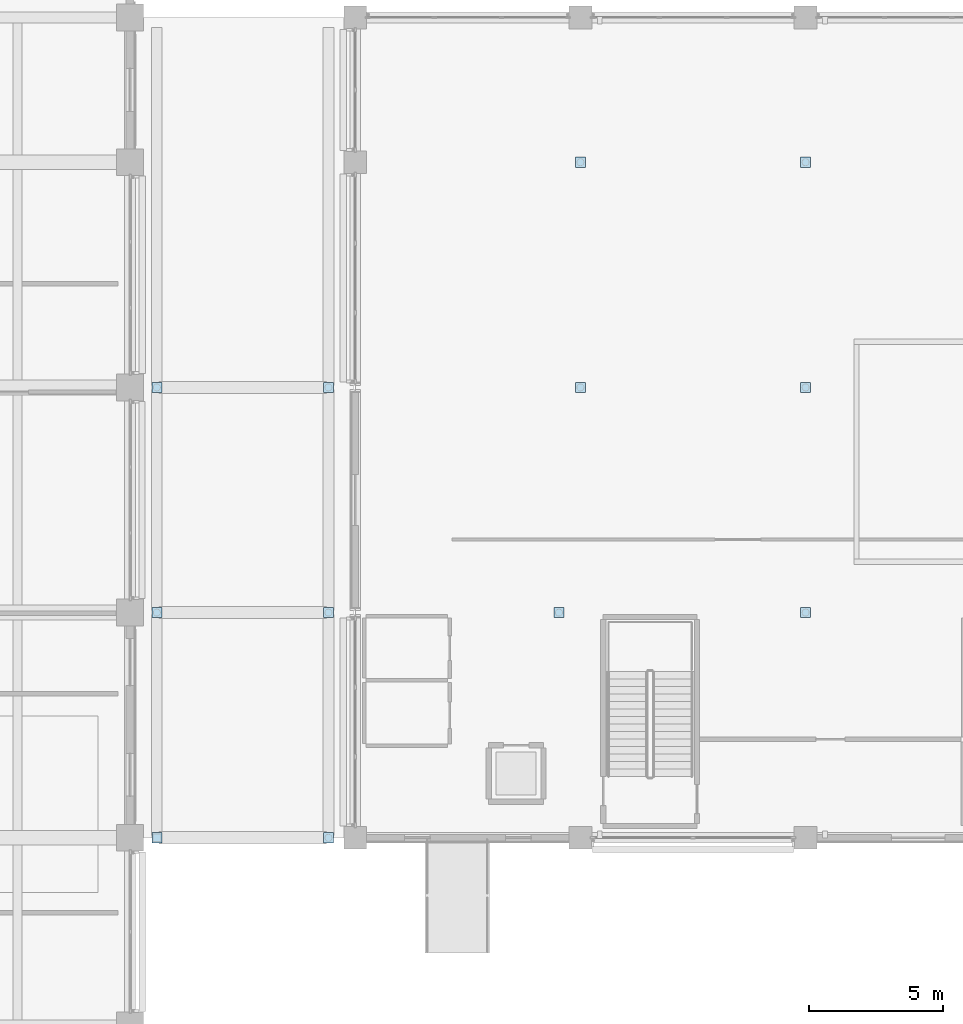
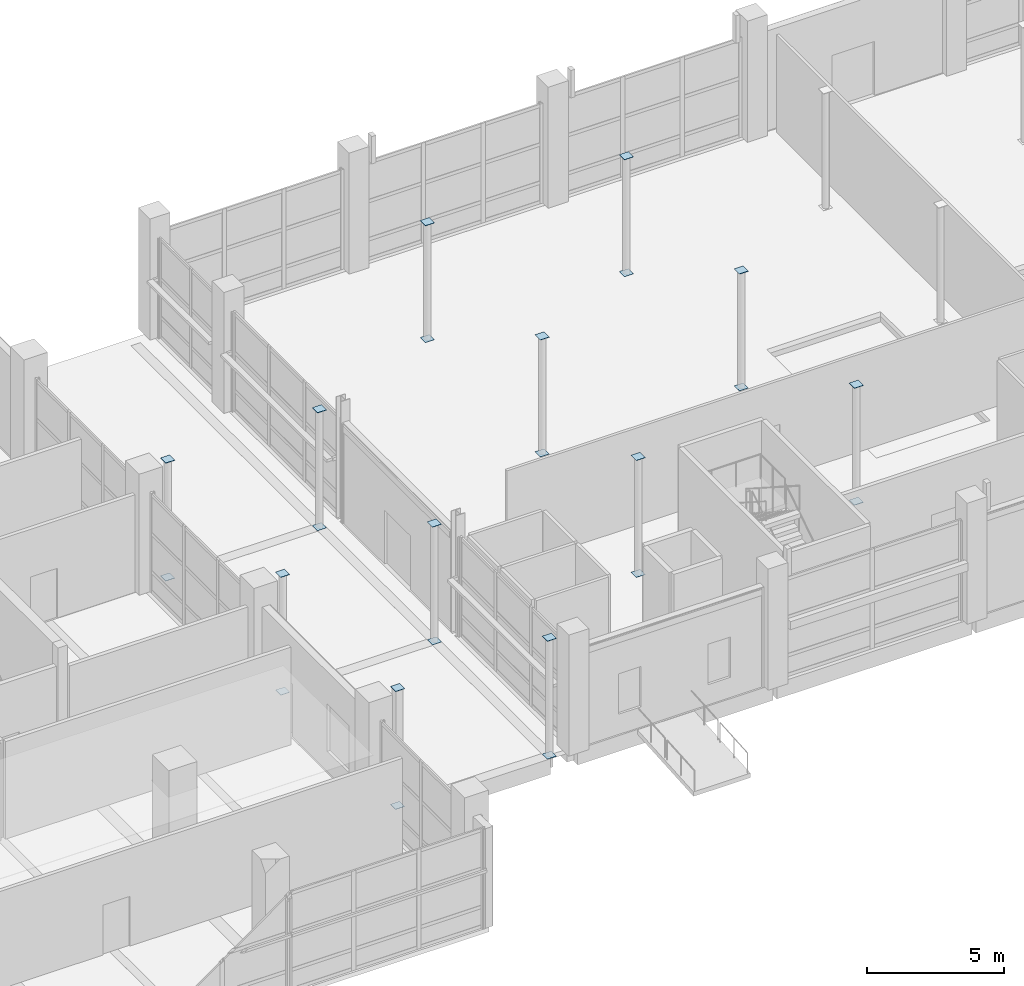
# One storey, part 54 of 140: 24 plates.
"""IFC4 building model written with IfcOpenShell, lengths in metres."""

from ifc_helpers import new_model, si_unit, direction, frame, origin, origin_2d, place, context, subcontext, project, spatial, rectangle, extrude, material, layer, layer_set, type_object, element, save


model = new_model("IFC4")

# Units and contexts
model_context = context("Model", 3, precision=1e-05, world=origin(), true_north=direction((0.0, 1.0)))
body_context = subcontext(model_context, "Body", "Model", "MODEL_VIEW")
ifc_project = project(units=[si_unit("LENGTHUNIT", "METRE"), si_unit("AREAUNIT", "SQUARE_METRE"), si_unit("VOLUMEUNIT", "CUBIC_METRE"), si_unit("PLANEANGLEUNIT", "RADIAN"), si_unit("MASSUNIT", "GRAM", prefix="KILO")], contexts=[model_context])

# Site, building, storey
site_placement = place(None, origin())
site = spatial("IfcSite", under=ifc_project, at=site_placement, CompositionType="ELEMENT")
building_placement = place(site_placement, origin())
building = spatial("IfcBuilding", under=site, at=building_placement, Name="Telukmera Botanical Conservatory", CompositionType="ELEMENT")
storey_placement = place(building_placement, origin())
storey = spatial("IfcBuildingStorey", under=building, at=storey_placement, Name="L00", CompositionType="ELEMENT", Elevation=0.0)

# Plates
ifc_material = material(Name="Steel S355", Category="steel")
ifc_layer = layer(ifc_material, 0.01611328125)
ifc_layer_set = layer_set([ifc_layer], Name="Steel S355")
plate_type = type_object("IfcPlateType", Name="Plate_CP1", PredefinedType="USERDEFINED", material=ifc_layer_set)
for number, where, z_axis, x_axis, name in (
    (1, (125.199951171875, 26.0, -0.01611328125), (0.0, 0.0, 1.0), (1.0, 0.0, 0.0), "CP1 Column End Cap Plate V1-L00"),
    (2, (125.199951171875, 26.0, 5.199951171875), (0.0, 0.0, 1.0), (1.0, 0.0, 0.0), "CP1 Column End Cap Plate V1-L00"),
    (3, (126.0, 34.39990234375, -0.01611328125), (0.0, 0.0, 1.0), (1.0, 0.0, 0.0), "CP1 Column End Cap Plate V1-L00"),
    (4, (126.0, 34.39990234375, 5.199951171875), (0.0, 0.0, 1.0), (1.0, 0.0, 0.0), "CP1 Column End Cap Plate V1-L00"),
    (5, (126.0, 42.800048828125, -0.01611328125), (0.0, 0.0, 1.0), (1.0, 0.0, 0.0), "CP1 Column End Cap Plate V1-L00"),
    (6, (126.0, 42.800048828125, 5.199951171875), (0.0, 0.0, 1.0), (1.0, 0.0, 0.0), "CP1 Column End Cap Plate V1-L00"),
    (7, (134.39990234375, 26.0, -0.01611328125), (0.0, 0.0, 1.0), (1.0, 0.0, 0.0), "CP1 Column End Cap Plate V1-L00"),
    (8, (134.39990234375, 26.0, 5.199951171875), (0.0, 0.0, 1.0), (1.0, 0.0, 0.0), "CP1 Column End Cap Plate V1-L00"),
    (9, (134.39990234375, 34.39990234375, -0.01611328125), (0.0, 0.0, 1.0), (1.0, 0.0, 0.0), "CP1 Column End Cap Plate V1-L00"),
    (10, (134.39990234375, 34.39990234375, 5.199951171875), (0.0, 0.0, 1.0), (1.0, 0.0, 0.0), "CP1 Column End Cap Plate V1-L00"),
    (11, (134.39990234375, 42.800048828125, -0.01611328125), (0.0, 0.0, 1.0), (1.0, 0.0, 0.0), "CP1 Column End Cap Plate V1-L00"),
    (12, (134.39990234375, 42.800048828125, 5.199951171875), (0.0, 0.0, 1.0), (1.0, 0.0, 0.0), "CP1 Column End Cap Plate V1-L00"),
    (13, (110.199951171875, 17.60009765625, -0.01611328125), (0.0, 0.0, 1.0), (1.0, 0.0, 0.0), "CP1 Column End Cap Plate V5-L00"),
    (14, (110.199951171875, 17.60009765625, 5.239990234375), (0.0, 0.0, 1.0), (1.0, 0.0, 0.0), "CP1 Column End Cap Plate V5-L00"),
    (15, (116.60009765625, 17.60009765625, -0.01611328125), (0.0, 0.0, 1.0), (1.0, 0.0, 0.0), "CP1 Column End Cap Plate V5-L00"),
    (16, (116.60009765625, 17.60009765625, 5.239990234375), (0.0, 0.0, 1.0), (1.0, 0.0, 0.0), "CP1 Column End Cap Plate V5-L00"),
    (17, (110.199951171875, 26.0, -0.01611328125), (0.0, 0.0, 1.0), (1.0, 0.0, 0.0), "CP1 Column End Cap Plate V5-L00"),
    (18, (110.199951171875, 26.0, 5.239990234375), (0.0, 0.0, 1.0), (1.0, 0.0, 0.0), "CP1 Column End Cap Plate V5-L00"),
    (19, (116.60009765625, 26.0, -0.01611328125), (0.0, 0.0, 1.0), (1.0, 0.0, 0.0), "CP1 Column End Cap Plate V5-L00"),
    (20, (116.60009765625, 26.0, 5.239990234375), (0.0, 0.0, 1.0), (1.0, 0.0, 0.0), "CP1 Column End Cap Plate V5-L00"),
    (21, (110.199951171875, 34.39990234375, -0.01611328125), (0.0, 0.0, 1.0), (1.0, 0.0, 0.0), "CP1 Column End Cap Plate V5-L00"),
    (22, (110.199951171875, 34.39990234375, 5.239990234375), (0.0, 0.0, 1.0), (1.0, 0.0, 0.0), "CP1 Column End Cap Plate V5-L00"),
    (23, (116.60009765625, 34.39990234375, -0.01611328125), (0.0, 0.0, 1.0), (1.0, 0.0, 0.0), "CP1 Column End Cap Plate V5-L00"),
    (24, (116.60009765625, 34.39990234375, 5.239990234375), (0.0, 0.0, 1.0), (1.0, 0.0, 0.0), "CP1 Column End Cap Plate V5-L00"),
):
    element("IfcPlate", number, at=place(storey_placement, frame(where, z_axis=z_axis, x_axis=x_axis)), inside=storey, type_object=plate_type, Name=name, ObjectType="CAP_PLATE", PredefinedType="USERDEFINED", context=body_context, shape_type="SweptSolid", body=[
        extrude(rectangle(XDim=0.3798828125, YDim=0.3798828125, at=origin_2d()), origin(), (0.0, 0.0, 1.0), 0.01611328125),
    ])

save(model, "model.ifc")
